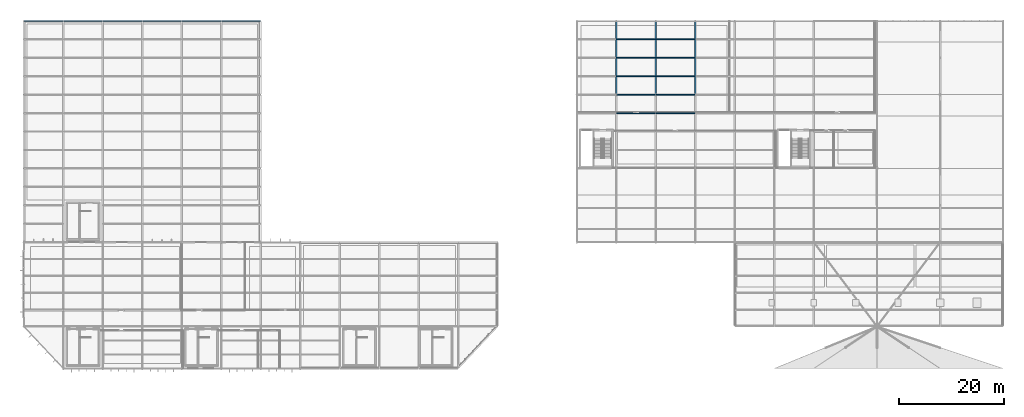
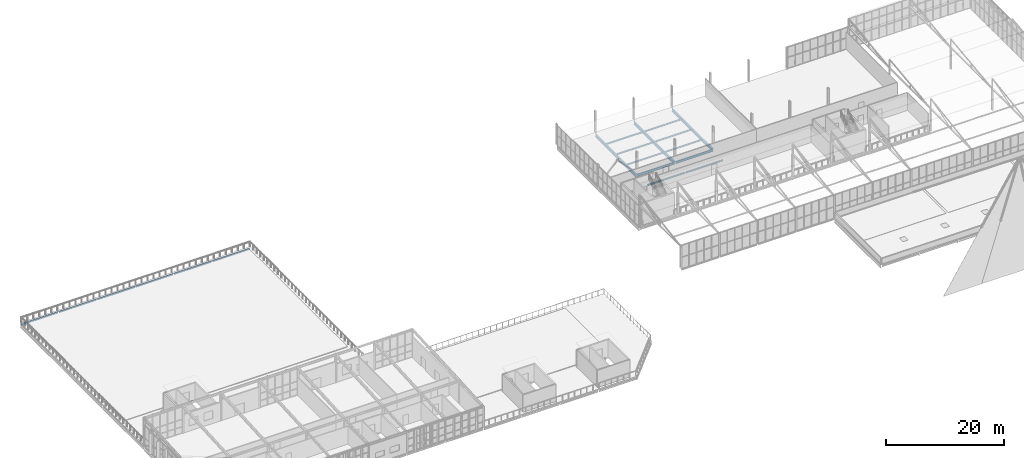
# One storey, part 42 of 104: 19 beams.
"""IFC4 building model written with IfcOpenShell, lengths in metres."""

from ifc_helpers import new_model, si_unit, direction, frame, origin, origin_2d, place, context, subcontext, project, spatial, i_section, extrude, material, material_profile, profile_set, type_object, element, save


model = new_model("IFC4")

# Units and contexts
model_context = context("Model", 3, precision=1e-05, world=origin(), true_north=direction((0.0, 1.0)))
body_context = subcontext(model_context, "Body", "Model", "MODEL_VIEW")
ifc_project = project(units=[si_unit("LENGTHUNIT", "METRE"), si_unit("AREAUNIT", "SQUARE_METRE"), si_unit("VOLUMEUNIT", "CUBIC_METRE"), si_unit("PLANEANGLEUNIT", "RADIAN"), si_unit("MASSUNIT", "GRAM", prefix="KILO")], contexts=[model_context])

# Site, building, storey
site_placement = place(None, origin())
site = spatial("IfcSite", under=ifc_project, at=site_placement, CompositionType="ELEMENT")
building_placement = place(site_placement, origin())
building = spatial("IfcBuilding", under=site, at=building_placement, Name="Solvenia Promenade Tram Depot", CompositionType="ELEMENT")
storey_placement = place(building_placement, frame((0.0, 0.0, 9.0)))
storey = spatial("IfcBuildingStorey", under=building, at=storey_placement, Name="L02", CompositionType="ELEMENT", Elevation=9.0)

# Beams
ifc_material = material(Name="Structural steel ASTM A992 Gr. 50", Category="steel")
ifc_material_profile_1 = material_profile(ifc_material, i_section(OverallWidth=0.19091796875, OverallDepth=0.4599609375, WebThickness=0.010009765625, FlangeThickness=0.01611328125, FilletRadius=0.012939453125, at=origin_2d()), Name="W460x82", Category="steel")
ifc_profile_set_1 = profile_set([ifc_material_profile_1], Name="Structural steel ASTM A992 Gr. 50")
beam_type_1 = type_object("IfcBeamType", Name="Beam-W460x82", PredefinedType="BEAM", material=ifc_profile_set_1)
for number, where, z_axis, x_axis, name in (
    (1, (112.5849609375, 52.0, -0.469970703125), (1.0, 0.0, 0.0), (0.0, 1.0, 0.0), "Primary Girder BM-L02-0456"),
    (2, (120.0849609375, 52.0, -0.469970703125), (1.0, 0.0, 0.0), (0.0, 1.0, 0.0), "Primary Girder BM-L02-0457"),
):
    element("IfcBeam", number, at=place(storey_placement, frame(where, z_axis=z_axis, x_axis=x_axis)), inside=storey, type_object=beam_type_1, Name=name, PredefinedType="BEAM", context=body_context, shape_type="SweptSolid", body=[
        extrude(i_section(OverallWidth=0.19091796875, OverallDepth=0.4599609375, WebThickness=0.010009765625, FlangeThickness=0.01611328125, FilletRadius=0.012939453125, at=origin_2d()), origin(), (0.0, 0.0, 1.0), 7.330078125),
    ])
ifc_material_profile_2 = material_profile(ifc_material, i_section(OverallWidth=0.22900390625, OverallDepth=0.612060546875, WebThickness=0.011962890625, FlangeThickness=0.01953125, FilletRadius=0.014892578125, at=origin_2d()), Name="W610x125", Category="steel")
ifc_profile_set_2 = profile_set([ifc_material_profile_2], Name="Structural steel ASTM A992 Gr. 50")
beam_type_2 = type_object("IfcBeamType", Name="Gird-W610x125", PredefinedType="BEAM", material=ifc_profile_set_2)
for number, where, z_axis, x_axis, name in (
    (3, (112.5, 52.0849609375, -0.5458984375), (0.0, 1.0, 0.0), (-1.0, 0.0, 0.0), "Transverse Girder BM-L02-0472"),
    (4, (120.0, 52.0849609375, -0.5458984375), (0.0, 1.0, 0.0), (-1.0, 0.0, 0.0), "Transverse Girder BM-L02-0474"),
    (5, (127.5, 52.0849609375, -0.5458984375), (0.0, 1.0, 0.0), (-1.0, 0.0, 0.0), "Transverse Girder BM-L02-0476"),
):
    element("IfcBeam", number, at=place(storey_placement, frame(where, z_axis=z_axis, x_axis=x_axis)), inside=storey, type_object=beam_type_2, Name=name, PredefinedType="BEAM", context=body_context, shape_type="SweptSolid", body=[
        extrude(i_section(OverallWidth=0.22900390625, OverallDepth=0.612060546875, WebThickness=0.011962890625, FlangeThickness=0.01953125, FilletRadius=0.014892578125, at=origin_2d()), origin(), (0.0, 0.0, 1.0), 13.830078125),
    ])
ifc_material_profile_3 = material_profile(ifc_material, i_section(OverallWidth=0.166015625, OverallDepth=0.31298828125, WebThickness=0.006591796875, FlangeThickness=0.01123046875, FilletRadius=0.010009765625, at=origin_2d()), Name="W310x45", Category="steel")
ifc_profile_set_3 = profile_set([ifc_material_profile_3], Name="Structural steel ASTM A992 Gr. 50")
beam_type_3 = type_object("IfcBeamType", Name="Joist-W310x45", PredefinedType="JOIST", material=ifc_profile_set_3)
for number, where, z_axis, x_axis, name in (
    (6, (112.5849609375, 48.5, -0.396484375), (1.0, 0.0, 0.0), (0.0, 1.0, 0.0), "Secondary Floor Joist BM-L02-0491"),
    (7, (112.5849609375, 55.5, -0.396484375), (1.0, 0.0, 0.0), (0.0, 1.0, 0.0), "Secondary Floor Joist BM-L02-0492"),
    (8, (112.5849609375, 59.0, -0.396484375), (1.0, 0.0, 0.0), (0.0, 1.0, 0.0), "Secondary Floor Joist BM-L02-0493"),
    (9, (112.5849609375, 62.5, -0.396484375), (1.0, 0.0, 0.0), (0.0, 1.0, 0.0), "Secondary Floor Joist BM-L02-0494"),
    (10, (120.0849609375, 48.5, -0.396484375), (1.0, 0.0, 0.0), (0.0, 1.0, 0.0), "Secondary Floor Joist BM-L02-0497"),
    (11, (120.0849609375, 55.5, -0.396484375), (1.0, 0.0, 0.0), (0.0, 1.0, 0.0), "Secondary Floor Joist BM-L02-0498"),
    (12, (120.0849609375, 59.0, -0.396484375), (1.0, 0.0, 0.0), (0.0, 1.0, 0.0), "Secondary Floor Joist BM-L02-0499"),
    (13, (120.0849609375, 62.5, -0.396484375), (1.0, 0.0, 0.0), (0.0, 1.0, 0.0), "Secondary Floor Joist BM-L02-0500"),
):
    element("IfcBeam", number, at=place(storey_placement, frame(where, z_axis=z_axis, x_axis=x_axis)), inside=storey, type_object=beam_type_3, Name=name, PredefinedType="JOIST", context=body_context, shape_type="SweptSolid", body=[
        extrude(i_section(OverallWidth=0.166015625, OverallDepth=0.31298828125, WebThickness=0.006591796875, FlangeThickness=0.01123046875, FilletRadius=0.010009765625, at=origin_2d()), origin(), (0.0, 0.0, 1.0), 7.330078125),
    ])
ifc_material_profile_4 = material_profile(ifc_material, i_section(OverallWidth=0.172119140625, OverallDepth=0.35791015625, WebThickness=0.0078125, FlangeThickness=0.01318359375, FilletRadius=0.010986328125, at=origin_2d()), Name="W360x57", Category="steel")
ifc_profile_set_4 = profile_set([ifc_material_profile_4], Name="Structural steel ASTM A992 Gr. 50")
beam_type_4 = type_object("IfcBeamType", Name="Spandrel-W360x57", PredefinedType="SPANDREL", material=ifc_profile_set_4)
for number, where, z_axis, x_axis, name in (
    (14, (0.0849609375, 66.0, -0.43896484375), (1.0, 0.0, 0.0), (0.0, 1.0, 0.0), "Perimeter Spandrel BM-L02-0662"),
    (15, (7.5849609375, 66.0, -0.43896484375), (1.0, 0.0, 0.0), (0.0, 1.0, 0.0), "Perimeter Spandrel BM-L02-0663"),
    (16, (15.0849609375, 66.0, -0.43896484375), (1.0, 0.0, 0.0), (0.0, 1.0, 0.0), "Perimeter Spandrel BM-L02-0664"),
    (17, (22.5849609375, 66.0, -0.43896484375), (1.0, 0.0, 0.0), (0.0, 1.0, 0.0), "Perimeter Spandrel BM-L02-0665"),
    (18, (30.0849609375, 66.0, -0.43896484375), (1.0, 0.0, 0.0), (0.0, 1.0, 0.0), "Perimeter Spandrel BM-L02-0666"),
    (19, (37.5849609375, 66.0, -0.43896484375), (1.0, 0.0, 0.0), (0.0, 1.0, 0.0), "Perimeter Spandrel BM-L02-0667"),
):
    element("IfcBeam", number, at=place(storey_placement, frame(where, z_axis=z_axis, x_axis=x_axis)), inside=storey, type_object=beam_type_4, Name=name, PredefinedType="SPANDREL", context=body_context, shape_type="SweptSolid", body=[
        extrude(i_section(OverallWidth=0.172119140625, OverallDepth=0.35791015625, WebThickness=0.0078125, FlangeThickness=0.01318359375, FilletRadius=0.010986328125, at=origin_2d()), origin(), (0.0, 0.0, 1.0), 7.330078125),
    ])

save(model, "model.ifc")
